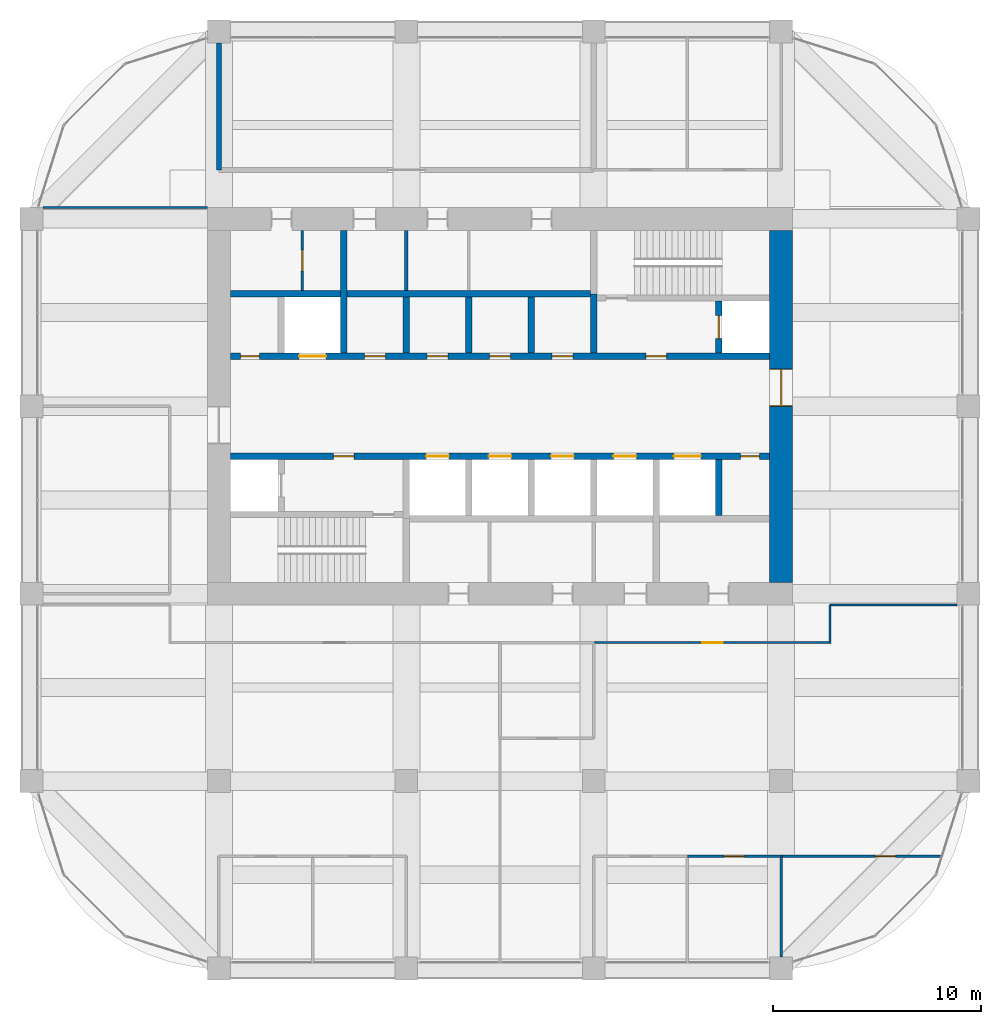
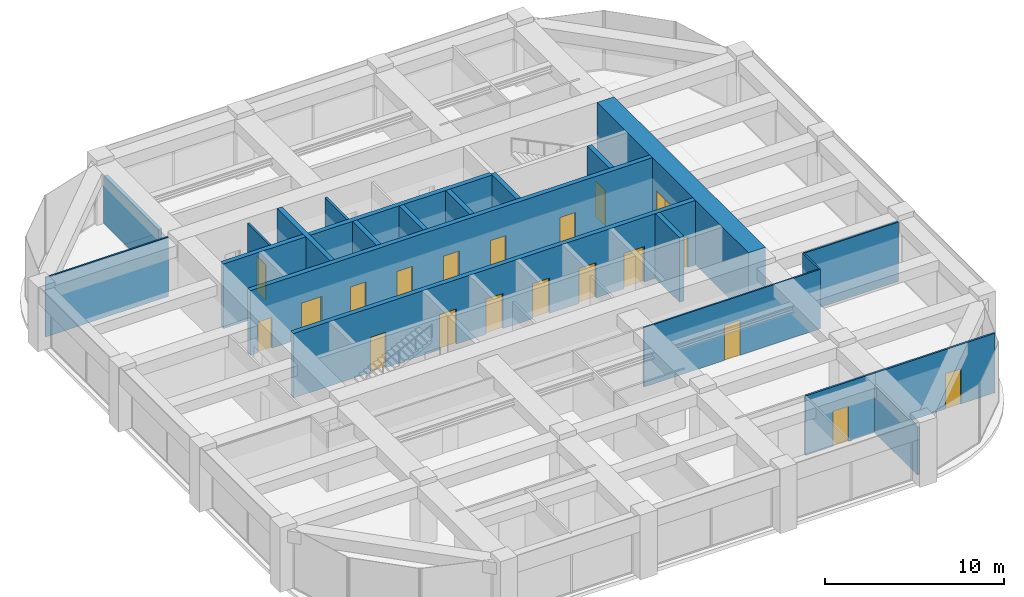
# One storey, part 42 of 44: 21 walls, 20 doors, 20 openings.
"""IFC4 building model written with IfcOpenShell, lengths in metres."""

import ifcopenshell
import ifcopenshell.guid

model = None  # the IFC model being written
_history = None  # IfcOwnerHistory: only IFC2X3 demands one
_inside = {}  # id of a spatial element -> (the spatial element, [elements in it])
_under = {}  # id of a project, library or spatial element -> (it, [spatial elements below it])
_declared = {}  # id of a project -> (the project, [libraries it declares])
_typed = {}  # id of a type object -> (the type object, [elements of that type])
_made_of = {}  # id of a material, layer set ... -> (it, [elements and type objects made of it])


def new_model(schema):
    """Start an empty IFC model of exactly this schema.

    Asked for "IFC4X3", IfcOpenShell would pick the latest addendum, in which some entities
    have other attributes; the version numbers below select the first issue.
    IFC2X3 requires an IfcOwnerHistory on every rooted entity: one is made here for all.
    """
    global model, _history
    if schema == "IFC4X3":
        model = ifcopenshell.file(schema_version=(4, 3, 0, 0))
    else:
        model = ifcopenshell.file(schema=schema)
    _inside.clear()
    _under.clear()
    _declared.clear()
    _typed.clear()
    _made_of.clear()
    _history = None
    if model.schema == "IFC2X3":
        org = make("IfcOrganization", Name="unknown")
        user = make(
            "IfcPersonAndOrganization",
            ThePerson=make("IfcPerson", FamilyName="unknown"),
            TheOrganization=org,
        )
        app = make(
            "IfcApplication",
            ApplicationDeveloper=org,
            Version="unknown",
            ApplicationFullName="unknown",
            ApplicationIdentifier="unknown",
        )
        _history = make(
            "IfcOwnerHistory",
            OwningUser=user,
            OwningApplication=app,
            ChangeAction="ADDED",
            CreationDate=0,
        )
    return model


def make(cls, **values):
    """One entity of the class cls with the attributes given. An attribute that is None is left unset."""
    return model.create_entity(
        cls, **{name: value for name, value in values.items() if value is not None}
    )


def rooted(cls, **values):
    """An entity with a GlobalId (a new one), such as an element, a storey or a relation."""
    return make(cls, GlobalId=ifcopenshell.guid.new(), OwnerHistory=_history, **values)


def si_unit(unit_type, name, prefix=None):
    """IfcSIUnit, for example si_unit("LENGTHUNIT", "METRE", prefix="MILLI")."""
    return make("IfcSIUnit", UnitType=unit_type, Prefix=prefix, Name=name)


def assignment(units):
    """IfcUnitAssignment: the units of a project."""
    return None if units is None else make("IfcUnitAssignment", Units=units)


def point(xyz):
    """IfcCartesianPoint."""
    return None if xyz is None else make("IfcCartesianPoint", Coordinates=xyz)


def direction(xyz):
    """IfcDirection."""
    return None if xyz is None else make("IfcDirection", DirectionRatios=xyz)


def frame(location, z_axis=None, x_axis=None):
    """IfcAxis2Placement3D, a coordinate frame: its origin and axes. An axis left out is left unset."""
    return make(
        "IfcAxis2Placement3D",
        Location=point(location),
        Axis=direction(z_axis),
        RefDirection=direction(x_axis),
    )


def frame_2d(location, x_axis=None):
    """IfcAxis2Placement2D, a coordinate frame in the plane: its origin and x axis."""
    return make(
        "IfcAxis2Placement2D", Location=point(location), RefDirection=direction(x_axis)
    )


def origin():
    """The frame at (0, 0, 0) with its axes left unset."""
    return frame((0.0, 0.0, 0.0))


def place(relative_to, where):
    """IfcLocalPlacement: puts the frame where relative to a parent placement (None: the world)."""
    return make(
        "IfcLocalPlacement", PlacementRelTo=relative_to, RelativePlacement=where
    )


def context(
    kind, dimensions, precision=None, world=None, true_north=None, identifier=None
):
    """IfcGeometricRepresentationContext, for example the 3D "Model" context."""
    return make(
        "IfcGeometricRepresentationContext",
        ContextIdentifier=identifier,
        ContextType=kind,
        CoordinateSpaceDimension=dimensions,
        Precision=precision,
        WorldCoordinateSystem=world,
        TrueNorth=true_north,
    )


def subcontext(parent, identifier, kind, view, scale=None):
    """IfcGeometricRepresentationSubContext, for example "Body" below "Model"."""
    return make(
        "IfcGeometricRepresentationSubContext",
        ContextIdentifier=identifier,
        ContextType=kind,
        ParentContext=parent,
        TargetScale=scale,
        TargetView=view,
    )


def project(units=None, contexts=None):
    """IfcProject with its units and contexts."""
    return rooted(
        "IfcProject",
        Name="project",
        RepresentationContexts=contexts,
        UnitsInContext=assignment(units),
    )


def spatial(cls, under=None, at=None, **own):
    """A site, building, storey or space (cls), placed at a placement, below another one or the project."""
    s = rooted(cls, ObjectPlacement=at, **own)
    if under is not None:
        _under.setdefault(under.id(), (under, []))[1].append(s)
    return s


def profile(cls, at=None, kind="AREA", **sizes):
    """A parametric profile (cls). Its sizes go by their IFC names, for example OverallWidth=200.0."""
    return make(cls, ProfileType=kind, Position=at, **sizes)


def rectangle(**sizes):
    """IfcRectangleProfileDef."""
    return profile("IfcRectangleProfileDef", **sizes)


def extrude(swept, where, along, depth):
    """IfcExtrudedAreaSolid: the profile swept, set in the frame where, extruded along a direction by depth."""
    return make(
        "IfcExtrudedAreaSolid",
        SweptArea=swept,
        Position=where,
        ExtrudedDirection=direction(along),
        Depth=depth,
    )


def shape(context_of_items, identifier, shape_type, items):
    """IfcShapeRepresentation: the items that make up one representation, for example the "Body"."""
    return make(
        "IfcShapeRepresentation",
        ContextOfItems=context_of_items,
        RepresentationIdentifier=identifier,
        RepresentationType=shape_type,
        Items=items,
    )


def material(Name=None, Category=None):
    """IfcMaterial."""
    return make("IfcMaterial", Name=Name, Category=Category)


def layer(
    of_material, thickness, ventilated=None, Name=None, Category=None, Priority=None
):
    """IfcMaterialLayer: one layer of a wall or slab, of a material (None: an air gap)."""
    return make(
        "IfcMaterialLayer",
        Material=of_material,
        LayerThickness=thickness,
        IsVentilated=ventilated,
        Name=Name,
        Category=Category,
        Priority=Priority,
    )


def layer_set(layers, Name=None):
    """IfcMaterialLayerSet."""
    return make("IfcMaterialLayerSet", MaterialLayers=layers, LayerSetName=Name)


def made_of(thing, what):
    """Note that an element or type object is made of a material, layer set ...; save() writes the relation."""
    if what is not None:
        _made_of.setdefault(what.id(), (what, []))[1].append(thing)
    return thing


def type_object(cls, material=None, **own):
    """A type object (cls), such as IfcWallType, which elements share."""
    return made_of(rooted(cls, **own), material)


def element(
    cls,
    number,
    at=None,
    inside=None,
    cuts=None,
    type_object=None,
    material=None,
    context=None,
    identifier="Body",
    shape_type=None,
    held_by="IfcProductDefinitionShape",
    body=None,
    shapes=None,
    **own,
):
    """One element of the class cls, such as IfcWall. Its Tag is "e" and its number.

    at: its placement. inside: the storey or other place that contains it. cuts: it is an
    opening in that element (IfcRelVoidsElement). A single representation is given by context,
    identifier, shape_type and body (its items); several are given by shapes. held_by: the class
    of the entity that holds the representations. save() writes the other relations.
    """
    e = rooted(cls, Tag="e%d" % number, ObjectPlacement=at, **own)
    if body is not None:
        shapes = [shape(context, identifier, shape_type, body)]
    if shapes is not None:
        e.Representation = make(held_by, Representations=shapes)
    if inside is not None:
        _inside.setdefault(inside.id(), (inside, []))[1].append(e)
    if cuts is not None:
        rooted(
            "IfcRelVoidsElement", RelatingBuildingElement=cuts, RelatedOpeningElement=e
        )
    if type_object is not None:
        _typed.setdefault(type_object.id(), (type_object, []))[1].append(e)
    return made_of(e, material)


def fill(opening, filler):
    """IfcRelFillsElement: the door or window that sits in an opening."""
    return rooted(
        "IfcRelFillsElement",
        RelatingOpeningElement=opening,
        RelatedBuildingElement=filler,
    )


def aggregate(whole, parts):
    """IfcRelAggregates: a whole, such as a stair, and the parts it consists of."""
    return rooted("IfcRelAggregates", RelatingObject=whole, RelatedObjects=parts)


def save(model, path):
    """Write the relations noted so far, then the file.

    IfcRelAggregates (storeys below a building ...), IfcRelContainedInSpatialStructure (elements
    in a storey), IfcRelDefinesByType, IfcRelAssociatesMaterial and IfcRelDeclares: one each for
    every whole, place, type object, material and project.
    """
    for whole, parts in _under.values():
        aggregate(whole, parts)
    for where, things in _inside.values():
        rooted(
            "IfcRelContainedInSpatialStructure",
            RelatedElements=things,
            RelatingStructure=where,
        )
    for kind, things in _typed.values():
        rooted("IfcRelDefinesByType", RelatedObjects=things, RelatingType=kind)
    for what, things in _made_of.values():
        rooted("IfcRelAssociatesMaterial", RelatedObjects=things, RelatingMaterial=what)
    for by, libraries in _declared.values():
        rooted("IfcRelDeclares", RelatingContext=by, RelatedDefinitions=libraries)
    model.write(path)


model = new_model("IFC4")

# Units and contexts
model_context = context("Model", 3, precision=1e-05, world=origin(), true_north=direction((0.0, 1.0)))
body_context = subcontext(model_context, "Body", "Model", "MODEL_VIEW")
ifc_project = project(units=[si_unit("LENGTHUNIT", "METRE"), si_unit("AREAUNIT", "SQUARE_METRE"), si_unit("VOLUMEUNIT", "CUBIC_METRE"), si_unit("PLANEANGLEUNIT", "RADIAN"), si_unit("MASSUNIT", "GRAM", prefix="KILO")], contexts=[model_context])

# Site, building, storey
site_placement = place(None, origin())
site = spatial("IfcSite", under=ifc_project, at=site_placement, CompositionType="ELEMENT")
building_placement = place(site_placement, origin())
building = spatial("IfcBuilding", under=site, at=building_placement, Name="Zorevar Civic Tower", CompositionType="ELEMENT")
storey_placement = place(building_placement, frame((0.0, 0.0, 307.39990234375)))
storey = spatial("IfcBuildingStorey", under=building, at=storey_placement, Name="L75", CompositionType="ELEMENT", Elevation=307.39990234375)

# Wall
ifc_material_1 = material(Name="Twin-stud acoustic wall, gypsum board")
ifc_layer_1 = layer(ifc_material_1, 0.25)
ifc_layer_set_1 = layer_set([ifc_layer_1], Name="Acoustic wall 250")
wall_type_1 = type_object("IfcWallType", Name="Acoustic wall 250", PredefinedType="PARTITIONING", material=ifc_layer_set_1)
wall_1_placement = place(storey_placement, frame((18.0, 38.35009765625, 0.0), z_axis=(0.0, 0.0, 1.0), x_axis=(0.0, 1.0, 0.0)))
element("IfcWall", 1, at=wall_1_placement, inside=storey, type_object=wall_type_1, Name="Acoustic wall 250 L75", PredefinedType="PARTITIONING", context=body_context, shape_type="SweptSolid", body=[
    extrude(rectangle(XDim=6.099853515625, YDim=0.25, at=frame_2d((3.0498046875, 0.0))), origin(), (0.0, 0.0, 1.0), 3.25),
])

# Wall, opening, door
ifc_material_2 = material(Name="Concrete C50/60", Category="concrete")
ifc_layer_2 = layer(ifc_material_2, 1.10009765625)
ifc_layer_set_2 = layer_set([ifc_layer_2], Name="Core wall 1100")
wall_type_2 = type_object("IfcWallType", Name="Core wall 1100", PredefinedType="SHEAR", material=ifc_layer_set_2)
wall_2_placement = place(storey_placement, frame((45.0, 18.550048828125, 0.0), z_axis=(0.0, 0.0, 1.0), x_axis=(0.0, 1.0, 0.0)))
wall_2 = element("IfcWall", 2, at=wall_2_placement, inside=storey, type_object=wall_type_2, Name="Core wall E L75", PredefinedType="SHEAR", context=body_context, shape_type="SweptSolid", body=[
    extrude(rectangle(XDim=16.89990234375, YDim=1.10009765625, at=frame_2d((8.449951171875, 0.0))), origin(), (0.0, 0.0, 1.0), 4.400146484375),
])
opening_1_placement = place(wall_2_placement, frame((8.449951171875, 0.0, 0.0)))
opening_1 = element("IfcOpeningElement", 3, at=opening_1_placement, cuts=wall_2, Name="Opening L75.02", PredefinedType="OPENING", context=body_context, shape_type="SweptSolid", body=[
    extrude(rectangle(XDim=1.800048828125, YDim=2.39990234375, at=frame_2d((0.89990234375, 1.199951171875))), frame((0.0, 0.56005859375, 0.0), z_axis=(0.0, -1.0, 0.0), x_axis=(1.0, 0.0, 0.0)), (0.0, 0.0, 1.0), 1.1201171875),
])
ifc_material_3 = material(Name="Steel door set", Category="steel")
door_type_1 = type_object("IfcDoorType", Name="Fire door FD2 1800x2400", OperationType="DOUBLE_DOOR_DOUBLE_SWING", PredefinedType="DOOR", material=ifc_material_3)
door_1_placement = place(opening_1_placement, origin())
door_1 = element("IfcDoor", 4, at=door_1_placement, inside=storey, type_object=door_type_1, Name="Door L75 01", OperationType="DOUBLE_DOOR_DOUBLE_SWING", OverallHeight=2.39990234375, OverallWidth=1.800048828125, PredefinedType="DOOR", context=body_context, shape_type="SweptSolid", body=[
    extrude(rectangle(XDim=1.800048828125, YDim=2.39990234375, at=frame_2d((0.89990234375, 1.199951171875))), frame((0.0, 0.030029296875, 0.0), z_axis=(0.0, -1.0, 0.0), x_axis=(1.0, 0.0, 0.0)), (0.0, 0.0, 1.0), 0.06005859375),
    extrude(rectangle(XDim=0.04, YDim=2.39990234375, at=frame_2d((0.02001953125, 1.199951171875))), frame((0.0, 0.5498046875, 0.0), z_axis=(0.0, -1.0, 0.0), x_axis=(1.0, 0.0, 0.0)), (0.0, 0.0, 1.0), 1.099609375),
    extrude(rectangle(XDim=0.04, YDim=2.39990234375, at=frame_2d((1.780029296875, 1.199951171875))), frame((0.0, 0.5498046875, 0.0), z_axis=(0.0, -1.0, 0.0), x_axis=(1.0, 0.0, 0.0)), (0.0, 0.0, 1.0), 1.099609375),
    extrude(rectangle(XDim=1.800048828125, YDim=0.04, at=frame_2d((0.89990234375, 2.3798828125))), frame((0.0, 0.5498046875, 0.0), z_axis=(0.0, -1.0, 0.0), x_axis=(1.0, 0.0, 0.0)), (0.0, 0.0, 1.0), 1.099609375),
])
fill(opening_1, door_1)

ifc_material_4 = material(Name="Laminated glass in black aluminium frame", Category="aluminium")
ifc_layer_3 = layer(ifc_material_4, 0.10009765625)
ifc_layer_set_3 = layer_set([ifc_layer_3], Name="Glazed partition 100")
wall_type_3 = type_object("IfcWallType", Name="Glazed partition 100", PredefinedType="PARTITIONING", material=ifc_layer_set_3)
wall_3_placement = place(storey_placement, frame((36.010009765625, 15.64990234375, 0.0), z_axis=(0.0, 0.0, 1.0), x_axis=(1.0, 0.0, 0.0)))
wall_3 = element("IfcWall", 5, at=wall_3_placement, inside=storey, type_object=wall_type_3, Name="Glazed partition 100 L75", PredefinedType="PARTITIONING", context=body_context, shape_type="SweptSolid", body=[
    extrude(rectangle(XDim=11.389892578125, YDim=0.10009765625, at=frame_2d((5.69482421875, 0.0))), origin(), (0.0, 0.0, 1.0), 4.050048828125),
])
opening_2_placement = place(wall_3_placement, frame((5.195068359375, 0.0, 0.0)))
opening_2 = element("IfcOpeningElement", 6, at=opening_2_placement, cuts=wall_3, Name="Opening L75.24", PredefinedType="OPENING", context=body_context, shape_type="SweptSolid", body=[
    extrude(rectangle(XDim=1.0, YDim=2.39990234375, at=frame_2d((0.5, 1.199951171875))), frame((0.0, 0.06005859375, 0.0), z_axis=(0.0, -1.0, 0.0), x_axis=(1.0, 0.0, 0.0)), (0.0, 0.0, 1.0), 0.1201171875),
])
ifc_material_5 = material(Name="Timber door set", Category="wood")
door_type_2 = type_object("IfcDoorType", Name="Glazed door GD1 1000x2400", OperationType="SINGLE_SWING_LEFT", PredefinedType="DOOR", material=ifc_material_5)
door_2_placement = place(opening_2_placement, origin())
door_2 = element("IfcDoor", 7, at=door_2_placement, inside=storey, type_object=door_type_2, Name="Door L75 D1", OperationType="SINGLE_SWING_LEFT", OverallHeight=2.39990234375, OverallWidth=1.0, PredefinedType="DOOR", context=body_context, shape_type="SweptSolid", body=[
    extrude(rectangle(XDim=1.0, YDim=2.39990234375, at=frame_2d((0.5, 1.199951171875))), frame((0.0, 0.02001953125, 0.0), z_axis=(0.0, -1.0, 0.0), x_axis=(1.0, 0.0, 0.0)), (0.0, 0.0, 1.0), 0.0400390625),
])
fill(opening_2, door_2)

# Walls
wall_4_placement = place(storey_placement, frame((47.35009765625, 17.449951171875, 0.0), z_axis=(0.0, 0.0, 1.0), x_axis=(1.0, 0.0, 0.0)))
element("IfcWall", 8, at=wall_4_placement, inside=storey, type_object=wall_type_3, Name="Glazed partition 100 L75", PredefinedType="PARTITIONING", context=body_context, shape_type="SweptSolid", body=[
    extrude(rectangle(XDim=6.099853515625, YDim=0.10009765625, at=frame_2d((3.0498046875, 0.0))), origin(), (0.0, 0.0, 1.0), 4.050048828125),
])
wall_5_placement = place(storey_placement, frame((9.550048828125, 36.550048828125, 0.0), z_axis=(0.0, 0.0, 1.0), x_axis=(1.0, 0.0, 0.0)))
element("IfcWall", 9, at=wall_5_placement, inside=storey, type_object=wall_type_3, Name="Glazed partition 100 L75", PredefinedType="PARTITIONING", context=body_context, shape_type="SweptSolid", body=[
    extrude(rectangle(XDim=7.89990234375, YDim=0.10009765625, at=frame_2d((3.949951171875, 0.0))), origin(), (0.0, 0.0, 1.0), 4.050048828125),
])
wall_6_placement = place(storey_placement, frame((47.35009765625, 15.60009765625, 0.0), z_axis=(0.0, 0.0, 1.0), x_axis=(0.0, 1.0, 0.0)))
element("IfcWall", 10, at=wall_6_placement, inside=storey, type_object=wall_type_3, Name="Glazed partition 100 L75", PredefinedType="PARTITIONING", context=body_context, shape_type="SweptSolid", body=[
    extrude(rectangle(XDim=1.849853515625, YDim=0.10009765625, at=frame_2d((0.9248046875, 0.0))), origin(), (0.0, 0.0, 1.0), 4.050048828125),
])

# Wall, opening, door
ifc_material_6 = material(Name="Concrete C40/50", Category="concrete")
ifc_layer_4 = layer(ifc_material_6, 0.300048828125)
ifc_layer_set_4 = layer_set([ifc_layer_4], Name="Inner core wall 300")
wall_type_4 = type_object("IfcWallType", Name="Inner core wall 300", PredefinedType="SHEAR", material=ifc_layer_set_4)
wall_7_placement = place(storey_placement, frame((42.0, 29.550048828125, 0.0), z_axis=(0.0, 0.0, 1.0), x_axis=(0.0, 1.0, 0.0)))
wall_7 = element("IfcWall", 11, at=wall_7_placement, inside=storey, type_object=wall_type_4, Name="Inner core wall N02 L75", PredefinedType="SHEAR", context=body_context, shape_type="SweptSolid", body=[
    extrude(rectangle(XDim=2.5, YDim=0.300048828125, at=frame_2d((1.25, 0.0))), origin(), (0.0, 0.0, 1.0), 4.400146484375),
])
opening_3_placement = place(wall_7_placement, frame((0.699951171875, 0.0, 0.0)))
opening_3 = element("IfcOpeningElement", 12, at=opening_3_placement, cuts=wall_7, Name="Opening L75.FL2", PredefinedType="OPENING", context=body_context, shape_type="SweptSolid", body=[
    extrude(rectangle(XDim=1.10009765625, YDim=2.39990234375, at=frame_2d((0.550048828125, 1.199951171875))), frame((0.0, 0.159912109375, 0.0), z_axis=(0.0, -1.0, 0.0), x_axis=(1.0, 0.0, 0.0)), (0.0, 0.0, 1.0), 0.320068359375),
])
ifc_material_7 = material(Name="Steel door set", Category="steel")
door_type_3 = type_object("IfcDoorType", Name="Firefighting lift landing door LD3 1100x2400", OperationType="DOUBLE_DOOR_SLIDING", PredefinedType="DOOR", material=ifc_material_7)
door_3_placement = place(opening_3_placement, origin())
door_3 = element("IfcDoor", 13, at=door_3_placement, inside=storey, type_object=door_type_3, Name="Landing door FL2 L75", OperationType="DOUBLE_DOOR_SLIDING", OverallHeight=2.39990234375, OverallWidth=1.10009765625, PredefinedType="DOOR", context=body_context, shape_type="SweptSolid", body=[
    extrude(rectangle(XDim=1.10009765625, YDim=2.39990234375, at=frame_2d((0.550048828125, 1.199951171875))), frame((0.0, 0.030029296875, 0.0), z_axis=(0.0, -1.0, 0.0), x_axis=(1.0, 0.0, 0.0)), (0.0, 0.0, 1.0), 0.06005859375),
])
fill(opening_3, door_3)

# Wall, openings, doors
wall_8_placement = place(storey_placement, frame((18.550048828125, 24.60009765625, 0.0), z_axis=(0.0, 0.0, 1.0), x_axis=(1.0, 0.0, 0.0)))
wall_8 = element("IfcWall", 14, at=wall_8_placement, inside=storey, type_object=wall_type_4, Name="Inner core wall S03 L75", PredefinedType="SHEAR", context=body_context, shape_type="SweptSolid", body=[
    extrude(rectangle(XDim=25.89990234375, YDim=0.300048828125, at=frame_2d((12.949951171875, 0.0))), origin(), (0.0, 0.0, 1.0), 4.400146484375),
])
opening_4_placement = place(wall_8_placement, frame((4.949951171875, 0.0, 0.0)))
opening_4 = element("IfcOpeningElement", 15, at=opening_4_placement, cuts=wall_8, Name="Opening L75.13", PredefinedType="OPENING", context=body_context, shape_type="SweptSolid", body=[
    extrude(rectangle(XDim=1.0, YDim=2.39990234375, at=frame_2d((0.5, 1.199951171875))), frame((0.0, 0.159912109375, 0.0), z_axis=(0.0, -1.0, 0.0), x_axis=(1.0, 0.0, 0.0)), (0.0, 0.0, 1.0), 0.320068359375),
])
opening_5_placement = place(wall_8_placement, frame((24.5, 0.0, 0.0)))
opening_5 = element("IfcOpeningElement", 16, at=opening_5_placement, cuts=wall_8, Name="Opening L75.15", PredefinedType="OPENING", context=body_context, shape_type="SweptSolid", body=[
    extrude(rectangle(XDim=0.89990234375, YDim=2.10009765625, at=frame_2d((0.449951171875, 1.050048828125))), frame((0.0, 0.159912109375, 0.0), z_axis=(0.0, -1.0, 0.0), x_axis=(1.0, 0.0, 0.0)), (0.0, 0.0, 1.0), 0.320068359375),
])
opening_6_placement = place(wall_8_placement, frame((9.39990234375, 0.0, 0.0)))
opening_6 = element("IfcOpeningElement", 17, at=opening_6_placement, cuts=wall_8, Name="Opening L75.LT1", PredefinedType="OPENING", context=body_context, shape_type="SweptSolid", body=[
    extrude(rectangle(XDim=1.10009765625, YDim=2.39990234375, at=frame_2d((0.550048828125, 1.199951171875))), frame((0.0, 0.159912109375, 0.0), z_axis=(0.0, -1.0, 0.0), x_axis=(1.0, 0.0, 0.0)), (0.0, 0.0, 1.0), 0.320068359375),
])
opening_7_placement = place(wall_8_placement, frame((12.39990234375, 0.0, 0.0)))
opening_7 = element("IfcOpeningElement", 18, at=opening_7_placement, cuts=wall_8, Name="Opening L75.LT2", PredefinedType="OPENING", context=body_context, shape_type="SweptSolid", body=[
    extrude(rectangle(XDim=1.10009765625, YDim=2.39990234375, at=frame_2d((0.550048828125, 1.199951171875))), frame((0.0, 0.159912109375, 0.0), z_axis=(0.0, -1.0, 0.0), x_axis=(1.0, 0.0, 0.0)), (0.0, 0.0, 1.0), 0.320068359375),
])
opening_8_placement = place(wall_8_placement, frame((15.39990234375, 0.0, 0.0)))
opening_8 = element("IfcOpeningElement", 19, at=opening_8_placement, cuts=wall_8, Name="Opening L75.LT3", PredefinedType="OPENING", context=body_context, shape_type="SweptSolid", body=[
    extrude(rectangle(XDim=1.10009765625, YDim=2.39990234375, at=frame_2d((0.550048828125, 1.199951171875))), frame((0.0, 0.159912109375, 0.0), z_axis=(0.0, -1.0, 0.0), x_axis=(1.0, 0.0, 0.0)), (0.0, 0.0, 1.0), 0.320068359375),
])
opening_9_placement = place(wall_8_placement, frame((18.39990234375, 0.0, 0.0)))
opening_9 = element("IfcOpeningElement", 20, at=opening_9_placement, cuts=wall_8, Name="Opening L75.LT4", PredefinedType="OPENING", context=body_context, shape_type="SweptSolid", body=[
    extrude(rectangle(XDim=1.10009765625, YDim=2.39990234375, at=frame_2d((0.550048828125, 1.199951171875))), frame((0.0, 0.159912109375, 0.0), z_axis=(0.0, -1.0, 0.0), x_axis=(1.0, 0.0, 0.0)), (0.0, 0.0, 1.0), 0.320068359375),
])
opening_10_placement = place(wall_8_placement, frame((21.300048828125, 0.0, 0.0)))
opening_10 = element("IfcOpeningElement", 21, at=opening_10_placement, cuts=wall_8, Name="Opening L75.SL1", PredefinedType="OPENING", context=body_context, shape_type="SweptSolid", body=[
    extrude(rectangle(XDim=1.300048828125, YDim=2.39990234375, at=frame_2d((0.64990234375, 1.199951171875))), frame((0.0, 0.159912109375, 0.0), z_axis=(0.0, -1.0, 0.0), x_axis=(1.0, 0.0, 0.0)), (0.0, 0.0, 1.0), 0.320068359375),
])
ifc_material_8 = material(Name="Steel door set", Category="steel")
door_type_4 = type_object("IfcDoorType", Name="Fire door FD1 1000x2400", OperationType="SINGLE_SWING_LEFT", PredefinedType="DOOR", material=ifc_material_8)
door_4_placement = place(opening_4_placement, origin())
door_4 = element("IfcDoor", 22, at=door_4_placement, inside=storey, type_object=door_type_4, Name="Door L75 12", OperationType="SINGLE_SWING_RIGHT", OverallHeight=2.39990234375, OverallWidth=1.0, PredefinedType="DOOR", context=body_context, shape_type="SweptSolid", body=[
    extrude(rectangle(XDim=1.0, YDim=2.39990234375, at=frame_2d((0.5, 1.199951171875))), frame((0.0, 0.030029296875, 0.0), z_axis=(0.0, -1.0, 0.0), x_axis=(1.0, 0.0, 0.0)), (0.0, 0.0, 1.0), 0.06005859375),
])
fill(opening_4, door_4)
ifc_material_9 = material(Name="Steel door set", Category="steel")
door_type_5 = type_object("IfcDoorType", Name="Landing door LD1 1100x2400", OperationType="DOUBLE_DOOR_SLIDING", PredefinedType="DOOR", material=ifc_material_9)
door_5_placement = place(opening_6_placement, origin())
door_5 = element("IfcDoor", 23, at=door_5_placement, inside=storey, type_object=door_type_5, Name="Landing door LT1 L75", OperationType="DOUBLE_DOOR_SLIDING", OverallHeight=2.39990234375, OverallWidth=1.10009765625, PredefinedType="DOOR", context=body_context, shape_type="SweptSolid", body=[
    extrude(rectangle(XDim=1.10009765625, YDim=2.39990234375, at=frame_2d((0.550048828125, 1.199951171875))), frame((0.0, 0.02001953125, 0.0), z_axis=(0.0, -1.0, 0.0), x_axis=(1.0, 0.0, 0.0)), (0.0, 0.0, 1.0), 0.0400390625),
])
fill(opening_6, door_5)
door_6_placement = place(opening_7_placement, origin())
door_6 = element("IfcDoor", 24, at=door_6_placement, inside=storey, type_object=door_type_5, Name="Landing door LT2 L75", OperationType="DOUBLE_DOOR_SLIDING", OverallHeight=2.39990234375, OverallWidth=1.10009765625, PredefinedType="DOOR", context=body_context, shape_type="SweptSolid", body=[
    extrude(rectangle(XDim=1.10009765625, YDim=2.39990234375, at=frame_2d((0.550048828125, 1.199951171875))), frame((0.0, 0.02001953125, 0.0), z_axis=(0.0, -1.0, 0.0), x_axis=(1.0, 0.0, 0.0)), (0.0, 0.0, 1.0), 0.0400390625),
])
fill(opening_7, door_6)
door_7_placement = place(opening_8_placement, origin())
door_7 = element("IfcDoor", 25, at=door_7_placement, inside=storey, type_object=door_type_5, Name="Landing door LT3 L75", OperationType="DOUBLE_DOOR_SLIDING", OverallHeight=2.39990234375, OverallWidth=1.10009765625, PredefinedType="DOOR", context=body_context, shape_type="SweptSolid", body=[
    extrude(rectangle(XDim=1.10009765625, YDim=2.39990234375, at=frame_2d((0.550048828125, 1.199951171875))), frame((0.0, 0.02001953125, 0.0), z_axis=(0.0, -1.0, 0.0), x_axis=(1.0, 0.0, 0.0)), (0.0, 0.0, 1.0), 0.0400390625),
])
fill(opening_8, door_7)
door_8_placement = place(opening_9_placement, origin())
door_8 = element("IfcDoor", 26, at=door_8_placement, inside=storey, type_object=door_type_5, Name="Landing door LT4 L75", OperationType="DOUBLE_DOOR_SLIDING", OverallHeight=2.39990234375, OverallWidth=1.10009765625, PredefinedType="DOOR", context=body_context, shape_type="SweptSolid", body=[
    extrude(rectangle(XDim=1.10009765625, YDim=2.39990234375, at=frame_2d((0.550048828125, 1.199951171875))), frame((0.0, 0.02001953125, 0.0), z_axis=(0.0, -1.0, 0.0), x_axis=(1.0, 0.0, 0.0)), (0.0, 0.0, 1.0), 0.0400390625),
])
fill(opening_9, door_8)
ifc_material_10 = material(Name="Steel door set", Category="steel")
door_type_6 = type_object("IfcDoorType", Name="Landing door LD2 1300x2400", OperationType="DOUBLE_DOOR_SLIDING", PredefinedType="DOOR", material=ifc_material_10)
door_9_placement = place(opening_10_placement, origin())
door_9 = element("IfcDoor", 27, at=door_9_placement, inside=storey, type_object=door_type_6, Name="Landing door SL1 L75", OperationType="DOUBLE_DOOR_SLIDING", OverallHeight=2.39990234375, OverallWidth=1.300048828125, PredefinedType="DOOR", context=body_context, shape_type="SweptSolid", body=[
    extrude(rectangle(XDim=1.300048828125, YDim=2.39990234375, at=frame_2d((0.64990234375, 1.199951171875))), frame((0.0, 0.02001953125, 0.0), z_axis=(0.0, -1.0, 0.0), x_axis=(1.0, 0.0, 0.0)), (0.0, 0.0, 1.0), 0.0400390625),
])
fill(opening_10, door_9)
ifc_material_11 = material(Name="Steel door set", Category="steel")
door_type_7 = type_object("IfcDoorType", Name="Riser door RD1 900x2100", OperationType="SINGLE_SWING_LEFT", PredefinedType="DOOR", material=ifc_material_11)
door_10_placement = place(opening_5_placement, origin())
door_10 = element("IfcDoor", 28, at=door_10_placement, inside=storey, type_object=door_type_7, Name="Door L75 14", OperationType="SINGLE_SWING_RIGHT", OverallHeight=2.10009765625, OverallWidth=0.89990234375, PredefinedType="DOOR", context=body_context, shape_type="SweptSolid", body=[
    extrude(rectangle(XDim=0.89990234375, YDim=2.10009765625, at=frame_2d((0.449951171875, 1.050048828125))), frame((0.0, 0.030029296875, 0.0), z_axis=(0.0, -1.0, 0.0), x_axis=(1.0, 0.0, 0.0)), (0.0, 0.0, 1.0), 0.06005859375),
])
fill(opening_5, door_10)

wall_9_placement = place(storey_placement, frame((18.550048828125, 29.39990234375, 0.0), z_axis=(0.0, 0.0, 1.0), x_axis=(1.0, 0.0, 0.0)))
wall_9 = element("IfcWall", 29, at=wall_9_placement, inside=storey, type_object=wall_type_4, Name="Inner core wall N03 L75", PredefinedType="SHEAR", context=body_context, shape_type="SweptSolid", body=[
    extrude(rectangle(XDim=25.89990234375, YDim=0.300048828125, at=frame_2d((12.949951171875, 0.0))), origin(), (0.0, 0.0, 1.0), 4.400146484375),
])
opening_11_placement = place(wall_9_placement, frame((19.949951171875, 0.0, 0.0)))
opening_11 = element("IfcOpeningElement", 30, at=opening_11_placement, cuts=wall_9, Name="Opening L75.14", PredefinedType="OPENING", context=body_context, shape_type="SweptSolid", body=[
    extrude(rectangle(XDim=1.0, YDim=2.39990234375, at=frame_2d((0.5, 1.199951171875))), frame((0.0, 0.159912109375, 0.0), z_axis=(0.0, -1.0, 0.0), x_axis=(1.0, 0.0, 0.0)), (0.0, 0.0, 1.0), 0.320068359375),
])
opening_12_placement = place(wall_9_placement, frame((0.5, 0.0, 0.0)))
opening_12 = element("IfcOpeningElement", 31, at=opening_12_placement, cuts=wall_9, Name="Opening L75.16", PredefinedType="OPENING", context=body_context, shape_type="SweptSolid", body=[
    extrude(rectangle(XDim=0.89990234375, YDim=2.10009765625, at=frame_2d((0.449951171875, 1.050048828125))), frame((0.0, 0.159912109375, 0.0), z_axis=(0.0, -1.0, 0.0), x_axis=(1.0, 0.0, 0.0)), (0.0, 0.0, 1.0), 0.320068359375),
])
opening_13_placement = place(wall_9_placement, frame((15.449951171875, 0.0, 0.0)))
opening_13 = element("IfcOpeningElement", 32, at=opening_13_placement, cuts=wall_9, Name="Opening L75.30", PredefinedType="OPENING", context=body_context, shape_type="SweptSolid", body=[
    extrude(rectangle(XDim=1.0, YDim=2.39990234375, at=frame_2d((0.5, 1.199951171875))), frame((0.0, 0.159912109375, 0.0), z_axis=(0.0, -1.0, 0.0), x_axis=(1.0, 0.0, 0.0)), (0.0, 0.0, 1.0), 0.320068359375),
])
opening_14_placement = place(wall_9_placement, frame((12.449951171875, 0.0, 0.0)))
opening_14 = element("IfcOpeningElement", 33, at=opening_14_placement, cuts=wall_9, Name="Opening L75.31", PredefinedType="OPENING", context=body_context, shape_type="SweptSolid", body=[
    extrude(rectangle(XDim=1.0, YDim=2.39990234375, at=frame_2d((0.5, 1.199951171875))), frame((0.0, 0.159912109375, 0.0), z_axis=(0.0, -1.0, 0.0), x_axis=(1.0, 0.0, 0.0)), (0.0, 0.0, 1.0), 0.320068359375),
])
opening_15_placement = place(wall_9_placement, frame((9.449951171875, 0.0, 0.0)))
opening_15 = element("IfcOpeningElement", 34, at=opening_15_placement, cuts=wall_9, Name="Opening L75.32", PredefinedType="OPENING", context=body_context, shape_type="SweptSolid", body=[
    extrude(rectangle(XDim=1.0, YDim=2.39990234375, at=frame_2d((0.5, 1.199951171875))), frame((0.0, 0.159912109375, 0.0), z_axis=(0.0, -1.0, 0.0), x_axis=(1.0, 0.0, 0.0)), (0.0, 0.0, 1.0), 0.320068359375),
])
opening_16_placement = place(wall_9_placement, frame((6.449951171875, 0.0, 0.0)))
opening_16 = element("IfcOpeningElement", 35, at=opening_16_placement, cuts=wall_9, Name="Opening L75.33", PredefinedType="OPENING", context=body_context, shape_type="SweptSolid", body=[
    extrude(rectangle(XDim=1.0, YDim=2.39990234375, at=frame_2d((0.5, 1.199951171875))), frame((0.0, 0.159912109375, 0.0), z_axis=(0.0, -1.0, 0.0), x_axis=(1.0, 0.0, 0.0)), (0.0, 0.0, 1.0), 0.320068359375),
])
opening_17_placement = place(wall_9_placement, frame((3.300048828125, 0.0, 0.0)))
opening_17 = element("IfcOpeningElement", 36, at=opening_17_placement, cuts=wall_9, Name="Opening L75.SL2", PredefinedType="OPENING", context=body_context, shape_type="SweptSolid", body=[
    extrude(rectangle(XDim=1.300048828125, YDim=2.39990234375, at=frame_2d((0.64990234375, 1.199951171875))), frame((0.0, 0.159912109375, 0.0), z_axis=(0.0, -1.0, 0.0), x_axis=(1.0, 0.0, 0.0)), (0.0, 0.0, 1.0), 0.320068359375),
])
door_11_placement = place(opening_11_placement, origin())
door_11 = element("IfcDoor", 37, at=door_11_placement, inside=storey, type_object=door_type_4, Name="Door L75 13", OperationType="SINGLE_SWING_RIGHT", OverallHeight=2.39990234375, OverallWidth=1.0, PredefinedType="DOOR", context=body_context, shape_type="SweptSolid", body=[
    extrude(rectangle(XDim=1.0, YDim=2.39990234375, at=frame_2d((0.5, 1.199951171875))), frame((0.0, 0.030029296875, 0.0), z_axis=(0.0, -1.0, 0.0), x_axis=(1.0, 0.0, 0.0)), (0.0, 0.0, 1.0), 0.06005859375),
])
fill(opening_11, door_11)
door_12_placement = place(opening_13_placement, origin())
door_12 = element("IfcDoor", 38, at=door_12_placement, inside=storey, type_object=door_type_4, Name="Door L75 LM1 shaft room", OperationType="SINGLE_SWING_LEFT", OverallHeight=2.39990234375, OverallWidth=1.0, PredefinedType="DOOR", context=body_context, shape_type="SweptSolid", body=[
    extrude(rectangle(XDim=1.0, YDim=2.39990234375, at=frame_2d((0.5, 1.199951171875))), frame((0.0, 0.030029296875, 0.0), z_axis=(0.0, -1.0, 0.0), x_axis=(1.0, 0.0, 0.0)), (0.0, 0.0, 1.0), 0.06005859375),
])
fill(opening_13, door_12)
door_13_placement = place(opening_14_placement, origin())
door_13 = element("IfcDoor", 39, at=door_13_placement, inside=storey, type_object=door_type_4, Name="Door L75 LM2 shaft room", OperationType="SINGLE_SWING_RIGHT", OverallHeight=2.39990234375, OverallWidth=1.0, PredefinedType="DOOR", context=body_context, shape_type="SweptSolid", body=[
    extrude(rectangle(XDim=1.0, YDim=2.39990234375, at=frame_2d((0.5, 1.199951171875))), frame((0.0, 0.030029296875, 0.0), z_axis=(0.0, -1.0, 0.0), x_axis=(1.0, 0.0, 0.0)), (0.0, 0.0, 1.0), 0.06005859375),
])
fill(opening_14, door_13)
door_14_placement = place(opening_15_placement, origin())
door_14 = element("IfcDoor", 40, at=door_14_placement, inside=storey, type_object=door_type_4, Name="Door L75 LH1 shaft room", OperationType="SINGLE_SWING_RIGHT", OverallHeight=2.39990234375, OverallWidth=1.0, PredefinedType="DOOR", context=body_context, shape_type="SweptSolid", body=[
    extrude(rectangle(XDim=1.0, YDim=2.39990234375, at=frame_2d((0.5, 1.199951171875))), frame((0.0, 0.030029296875, 0.0), z_axis=(0.0, -1.0, 0.0), x_axis=(1.0, 0.0, 0.0)), (0.0, 0.0, 1.0), 0.06005859375),
])
fill(opening_15, door_14)
door_15_placement = place(opening_16_placement, origin())
door_15 = element("IfcDoor", 41, at=door_15_placement, inside=storey, type_object=door_type_4, Name="Door L75 LH2 shaft room", OperationType="SINGLE_SWING_RIGHT", OverallHeight=2.39990234375, OverallWidth=1.0, PredefinedType="DOOR", context=body_context, shape_type="SweptSolid", body=[
    extrude(rectangle(XDim=1.0, YDim=2.39990234375, at=frame_2d((0.5, 1.199951171875))), frame((0.0, 0.030029296875, 0.0), z_axis=(0.0, -1.0, 0.0), x_axis=(1.0, 0.0, 0.0)), (0.0, 0.0, 1.0), 0.06005859375),
])
fill(opening_16, door_15)
door_16_placement = place(opening_17_placement, origin())
door_16 = element("IfcDoor", 42, at=door_16_placement, inside=storey, type_object=door_type_6, Name="Landing door SL2 L75", OperationType="DOUBLE_DOOR_SLIDING", OverallHeight=2.39990234375, OverallWidth=1.300048828125, PredefinedType="DOOR", context=body_context, shape_type="SweptSolid", body=[
    extrude(rectangle(XDim=1.300048828125, YDim=2.39990234375, at=frame_2d((0.64990234375, 1.199951171875))), frame((0.0, 0.02001953125, 0.0), z_axis=(0.0, -1.0, 0.0), x_axis=(1.0, 0.0, 0.0)), (0.0, 0.0, 1.0), 0.0400390625),
])
fill(opening_17, door_16)
door_17_placement = place(opening_12_placement, origin())
door_17 = element("IfcDoor", 43, at=door_17_placement, inside=storey, type_object=door_type_7, Name="Door L75 15", OperationType="SINGLE_SWING_RIGHT", OverallHeight=2.10009765625, OverallWidth=0.89990234375, PredefinedType="DOOR", context=body_context, shape_type="SweptSolid", body=[
    extrude(rectangle(XDim=0.89990234375, YDim=2.10009765625, at=frame_2d((0.449951171875, 1.050048828125))), frame((0.0, 0.030029296875, 0.0), z_axis=(0.0, -1.0, 0.0), x_axis=(1.0, 0.0, 0.0)), (0.0, 0.0, 1.0), 0.06005859375),
])
fill(opening_12, door_17)

# Walls
wall_10_placement = place(storey_placement, frame((18.550048828125, 32.39990234375, 0.0), z_axis=(0.0, 0.0, 1.0), x_axis=(1.0, 0.0, 0.0)))
element("IfcWall", 44, at=wall_10_placement, inside=storey, type_object=wall_type_4, Name="Inner core wall N04 L75", PredefinedType="SHEAR", context=body_context, shape_type="SweptSolid", body=[
    extrude(rectangle(XDim=17.300048828125, YDim=0.300048828125, at=frame_2d((8.64990234375, 0.0))), origin(), (0.0, 0.0, 1.0), 4.400146484375),
])
for number, where, z_axis, x_axis, name in (
    (45, (33.0, 29.550048828125, 0.0), (0.0, 0.0, 1.0), (0.0, 1.0, 0.0), "Inner core wall N05 L75"),
    (46, (30.0, 29.550048828125, 0.0), (0.0, 0.0, 1.0), (0.0, 1.0, 0.0), "Inner core wall N06 L75"),
    (47, (27.0, 29.550048828125, 0.0), (0.0, 0.0, 1.0), (0.0, 1.0, 0.0), "Inner core wall N07 L75"),
):
    element("IfcWall", number, at=place(storey_placement, frame(where, z_axis=z_axis, x_axis=x_axis)), inside=storey, type_object=wall_type_4, Name=name, PredefinedType="SHEAR", context=body_context, shape_type="SweptSolid", body=[
        extrude(rectangle(XDim=2.699951171875, YDim=0.300048828125, at=frame_2d((1.35009765625, 0.0))), origin(), (0.0, 0.0, 1.0), 4.400146484375),
    ])
wall_11_placement = place(storey_placement, frame((24.0, 29.550048828125, 0.0), z_axis=(0.0, 0.0, 1.0), x_axis=(0.0, 1.0, 0.0)))
element("IfcWall", 48, at=wall_11_placement, inside=storey, type_object=wall_type_4, Name="Inner core wall N08 L75", PredefinedType="SHEAR", context=body_context, shape_type="SweptSolid", body=[
    extrude(rectangle(XDim=5.89990234375, YDim=0.300048828125, at=frame_2d((2.949951171875, 0.0))), origin(), (0.0, 0.0, 1.0), 4.400146484375),
])
wall_12_placement = place(storey_placement, frame((42.0, 21.75, 0.0), z_axis=(0.0, 0.0, 1.0), x_axis=(0.0, 1.0, 0.0)))
element("IfcWall", 49, at=wall_12_placement, inside=storey, type_object=wall_type_4, Name="Inner core wall S09 L75", PredefinedType="SHEAR", context=body_context, shape_type="SweptSolid", body=[
    extrude(rectangle(XDim=2.699951171875, YDim=0.300048828125, at=frame_2d((1.35009765625, 0.0))), origin(), (0.0, 0.0, 1.0), 4.400146484375),
])
wall_13_placement = place(storey_placement, frame((36.0, 29.550048828125, 0.0), z_axis=(0.0, 0.0, 1.0), x_axis=(0.0, 1.0, 0.0)))
element("IfcWall", 50, at=wall_13_placement, inside=storey, type_object=wall_type_4, Name="Inner core wall N10 L75", PredefinedType="SHEAR", context=body_context, shape_type="SweptSolid", body=[
    extrude(rectangle(XDim=2.849853515625, YDim=0.300048828125, at=frame_2d((1.4248046875, 0.0))), origin(), (0.0, 0.0, 1.0), 4.400146484375),
])

# Wall, opening, door
ifc_material_12 = material(Name="Gypsum board on steel studs", Category="steel")
ifc_layer_5 = layer(ifc_material_12, 0.1201171875)
ifc_layer_set_5 = layer_set([ifc_layer_5], Name="Partition 120")
wall_type_5 = type_object("IfcWallType", Name="Partition 120", PredefinedType="PARTITIONING", material=ifc_layer_set_5)
wall_14_placement = place(storey_placement, frame((40.5, 5.39990234375, 0.0), z_axis=(0.0, 0.0, 1.0), x_axis=(1.0, 0.0, 0.0)))
wall_14 = element("IfcWall", 51, at=wall_14_placement, inside=storey, type_object=wall_type_5, Name="Partition 120 L75", PredefinedType="PARTITIONING", context=body_context, shape_type="SweptSolid", body=[
    extrude(rectangle(XDim=4.5, YDim=0.1201171875, at=frame_2d((2.25, 0.0))), origin(), (0.0, 0.0, 1.0), 4.050048828125),
])
opening_18_placement = place(wall_14_placement, frame((1.75, 0.0, 0.0)))
opening_18 = element("IfcOpeningElement", 52, at=opening_18_placement, cuts=wall_14, Name="Opening L75.20", PredefinedType="OPENING", context=body_context, shape_type="SweptSolid", body=[
    extrude(rectangle(XDim=1.0, YDim=2.39990234375, at=frame_2d((0.5, 1.199951171875))), frame((0.0, 0.070068359375, 0.0), z_axis=(0.0, -1.0, 0.0), x_axis=(1.0, 0.0, 0.0)), (0.0, 0.0, 1.0), 0.14013671875),
])
ifc_material_13 = material(Name="Timber door set", Category="wood")
door_type_8 = type_object("IfcDoorType", Name="Door D1 1000x2400", OperationType="SINGLE_SWING_LEFT", PredefinedType="DOOR", material=ifc_material_13)
door_18_placement = place(opening_18_placement, origin())
door_18 = element("IfcDoor", 53, at=door_18_placement, inside=storey, type_object=door_type_8, Name="Door L75 D1", OperationType="SINGLE_SWING_LEFT", OverallHeight=2.39990234375, OverallWidth=1.0, PredefinedType="DOOR", context=body_context, shape_type="SweptSolid", body=[
    extrude(rectangle(XDim=1.0, YDim=2.39990234375, at=frame_2d((0.5, 1.199951171875))), frame((0.0, 0.02490234375, 0.0), z_axis=(0.0, -1.0, 0.0), x_axis=(1.0, 0.0, 0.0)), (0.0, 0.0, 1.0), 0.050048828125),
])
fill(opening_18, door_18)

wall_15_placement = place(storey_placement, frame((45.0, 5.39990234375, 0.0), z_axis=(0.0, 0.0, 1.0), x_axis=(1.0, 0.0, 0.0)))
wall_15 = element("IfcWall", 54, at=wall_15_placement, inside=storey, type_object=wall_type_5, Name="Partition 120 L75", PredefinedType="PARTITIONING", context=body_context, shape_type="SweptSolid", body=[
    extrude(rectangle(XDim=7.690185546875, YDim=0.1201171875, at=frame_2d((3.84521484375, 0.0))), origin(), (0.0, 0.0, 1.0), 4.050048828125),
])
opening_19_placement = place(wall_15_placement, frame((4.5, 0.0, 0.0)))
opening_19 = element("IfcOpeningElement", 55, at=opening_19_placement, cuts=wall_15, Name="Opening L75.21", PredefinedType="OPENING", context=body_context, shape_type="SweptSolid", body=[
    extrude(rectangle(XDim=1.0, YDim=2.39990234375, at=frame_2d((0.5, 1.199951171875))), frame((0.0, 0.070068359375, 0.0), z_axis=(0.0, -1.0, 0.0), x_axis=(1.0, 0.0, 0.0)), (0.0, 0.0, 1.0), 0.14013671875),
])
door_19_placement = place(opening_19_placement, origin())
door_19 = element("IfcDoor", 56, at=door_19_placement, inside=storey, type_object=door_type_8, Name="Door L75 D1", OperationType="SINGLE_SWING_LEFT", OverallHeight=2.39990234375, OverallWidth=1.0, PredefinedType="DOOR", context=body_context, shape_type="SweptSolid", body=[
    extrude(rectangle(XDim=1.0, YDim=2.39990234375, at=frame_2d((0.5, 1.199951171875))), frame((0.0, 0.02490234375, 0.0), z_axis=(0.0, -1.0, 0.0), x_axis=(1.0, 0.0, 0.0)), (0.0, 0.0, 1.0), 0.050048828125),
])
fill(opening_19, door_19)

# Wall
wall_16_placement = place(storey_placement, frame((45.0, 0.550048828125, 0.0), z_axis=(0.0, 0.0, 1.0), x_axis=(0.0, 1.0, 0.0)))
element("IfcWall", 57, at=wall_16_placement, inside=storey, type_object=wall_type_5, Name="Partition 120 L75", PredefinedType="PARTITIONING", context=body_context, shape_type="SweptSolid", body=[
    extrude(rectangle(XDim=4.849853515625, YDim=0.1201171875, at=frame_2d((2.4248046875, 0.0))), origin(), (0.0, 0.0, 1.0), 3.25),
])

# Wall, opening, door
wall_17_placement = place(storey_placement, frame((22.0, 32.550048828125, 0.0), z_axis=(0.0, 0.0, 1.0), x_axis=(0.0, 1.0, 0.0)))
wall_17 = element("IfcWall", 58, at=wall_17_placement, inside=storey, type_object=wall_type_5, Name="Partition L75", PredefinedType="PARTITIONING", context=body_context, shape_type="SweptSolid", body=[
    extrude(rectangle(XDim=2.89990234375, YDim=0.1201171875, at=frame_2d((1.449951171875, 0.0))), origin(), (0.0, 0.0, 1.0), 4.050048828125),
])
opening_20_placement = place(wall_17_placement, frame((0.949951171875, 0.0, 0.0)))
opening_20 = element("IfcOpeningElement", 59, at=opening_20_placement, cuts=wall_17, Name="Opening L75.29", PredefinedType="OPENING", context=body_context, shape_type="SweptSolid", body=[
    extrude(rectangle(XDim=1.0, YDim=2.39990234375, at=frame_2d((0.5, 1.199951171875))), frame((0.0, 0.070068359375, 0.0), z_axis=(0.0, -1.0, 0.0), x_axis=(1.0, 0.0, 0.0)), (0.0, 0.0, 1.0), 0.14013671875),
])
door_20_placement = place(opening_20_placement, origin())
door_20 = element("IfcDoor", 60, at=door_20_placement, inside=storey, type_object=door_type_4, Name="Door L75 EN", OperationType="SINGLE_SWING_RIGHT", OverallHeight=2.39990234375, OverallWidth=1.0, PredefinedType="DOOR", context=body_context, shape_type="SweptSolid", body=[
    extrude(rectangle(XDim=1.0, YDim=2.39990234375, at=frame_2d((0.5, 1.199951171875))), frame((0.0, 0.030029296875, 0.0), z_axis=(0.0, -1.0, 0.0), x_axis=(1.0, 0.0, 0.0)), (0.0, 0.0, 1.0), 0.06005859375),
])
fill(opening_20, door_20)

# Wall
ifc_material_14 = material(Name="Gypsum board on steel studs, moisture resistant", Category="steel")
ifc_layer_6 = layer(ifc_material_14, 0.14990234375)
ifc_layer_set_6 = layer_set([ifc_layer_6], Name="WC partition 150")
wall_type_6 = type_object("IfcWallType", Name="WC partition 150", PredefinedType="PARTITIONING", material=ifc_layer_set_6)
wall_18_placement = place(storey_placement, frame((27.0, 32.550048828125, 0.0), z_axis=(0.0, 0.0, 1.0), x_axis=(0.0, 1.0, 0.0)))
element("IfcWall", 61, at=wall_18_placement, inside=storey, type_object=wall_type_6, Name="WC partition L75", PredefinedType="PARTITIONING", context=body_context, shape_type="SweptSolid", body=[
    extrude(rectangle(XDim=2.89990234375, YDim=0.14990234375, at=frame_2d((1.449951171875, 0.0))), origin(), (0.0, 0.0, 1.0), 4.050048828125),
])

save(model, "model.ifc")
